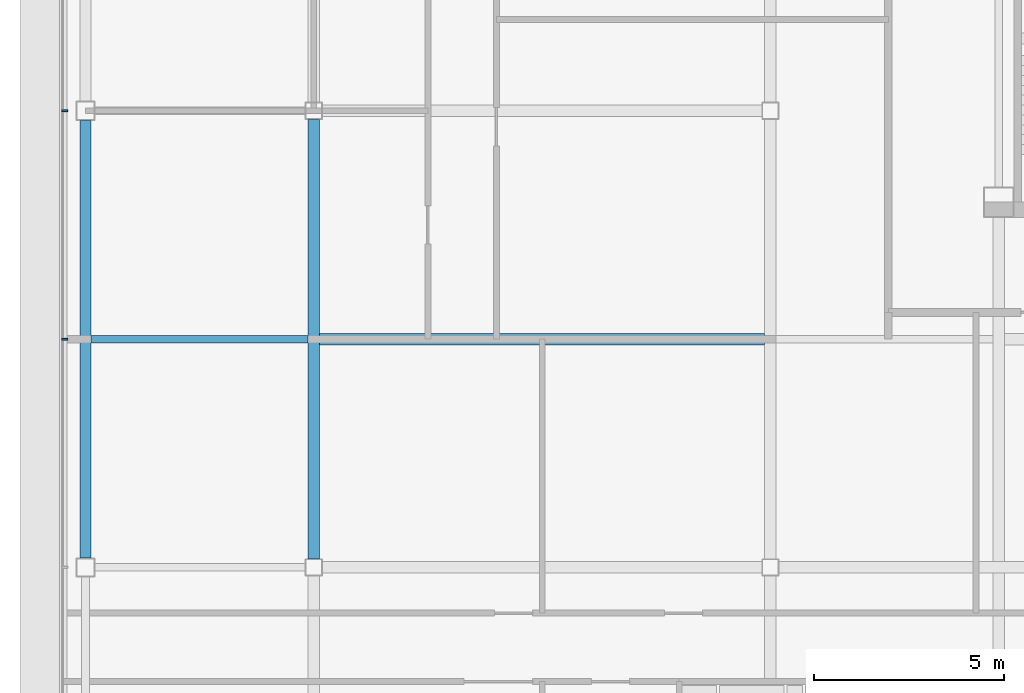
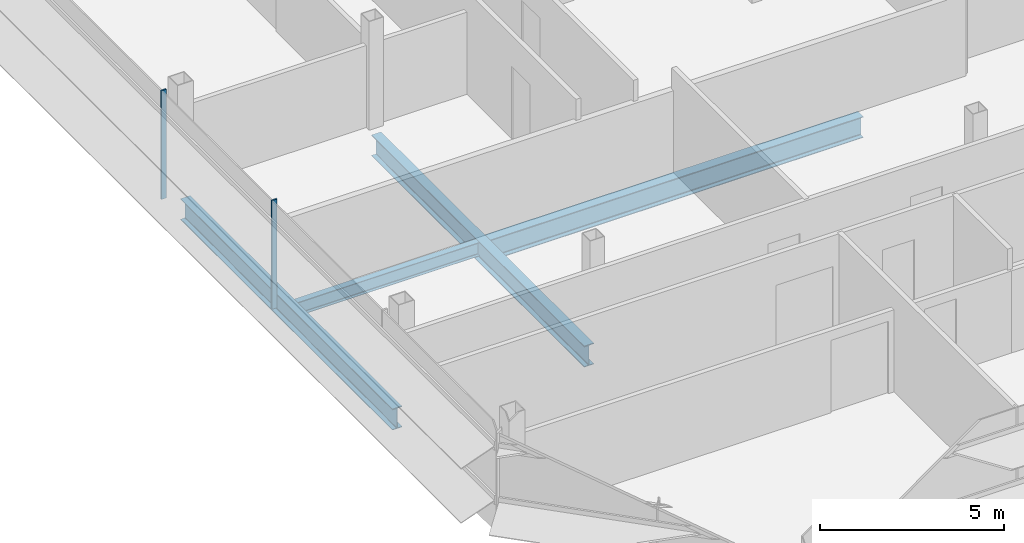
# One storey, part 6 of 27: 4 beams, 2 members, 1 element without a shape of its own.
"""IFC4 building model written with IfcOpenShell, lengths in metres."""

from ifc_helpers import new_model, si_unit, direction, frame, origin, origin_2d, place, context, subcontext, project, spatial, rectangle, i_section, extrude, material, material_profile, profile_set, type_object, element, aggregate, save


model = new_model("IFC4")

# Units and contexts
model_context = context("Model", 3, precision=1e-05, world=origin(), true_north=direction((0.0, 1.0)))
body_context = subcontext(model_context, "Body", "Model", "MODEL_VIEW")
ifc_project = project(units=[si_unit("LENGTHUNIT", "METRE"), si_unit("AREAUNIT", "SQUARE_METRE"), si_unit("VOLUMEUNIT", "CUBIC_METRE"), si_unit("PLANEANGLEUNIT", "RADIAN"), si_unit("MASSUNIT", "GRAM", prefix="KILO")], contexts=[model_context])

# Site, building, storey
site_placement = place(None, origin())
site = spatial("IfcSite", under=ifc_project, at=site_placement, CompositionType="ELEMENT")
building_placement = place(site_placement, origin())
building = spatial("IfcBuilding", under=site, at=building_placement, Name="Sorahane Residences", CompositionType="ELEMENT")
storey_placement = place(building_placement, frame((0.0, 0.0, 312.39990234375)))
storey = spatial("IfcBuildingStorey", under=building, at=storey_placement, Name="L74", CompositionType="ELEMENT", Elevation=312.39990234375)

# Curtain wall, members
ifc_material_1 = material(Name="Dark low-e glass and black anodised aluminium", Category="aluminium")
curtain_wall_type = type_object("IfcCurtainWallType", Name="Curtain wall CW-1 Typical unitised wall", PredefinedType="NOTDEFINED", material=ifc_material_1)
curtain_wall_placement = place(storey_placement, origin())
curtain_wall = element("IfcCurtainWall", 1, at=curtain_wall_placement, inside=storey, type_object=curtain_wall_type, Name="CW-1 curtain wall L74 W1", PredefinedType="NOTDEFINED")
ifc_material_2 = material(Name="Black anodised aluminium", Category="aluminium")
ifc_material_profile_1 = material_profile(ifc_material_2, rectangle(XDim=0.159912109375, YDim=0.050048828125, at=origin_2d()), Name="Curtain wall mullion CW-1 black anodised aluminium 50x160")
ifc_profile_set_1 = profile_set([ifc_material_profile_1], Name="Black anodised aluminium")
member_type = type_object("IfcMemberType", Name="Curtain wall mullion CW-1 black anodised aluminium 50x160", PredefinedType="MULLION", material=ifc_profile_set_1)
member_1_placement = place(storey_placement, frame((-18.5400390625, 24.0, -0.179931640625), z_axis=(0.0, 0.0, 1.0), x_axis=(-1.0, 0.0, 0.0)))
member_1 = element("IfcMember", 2, at=member_1_placement, type_object=member_type, Name="CW-1 mullion L74 W1.4", PredefinedType="MULLION", context=body_context, shape_type="SweptSolid", body=[
    extrude(rectangle(XDim=0.159912109375, YDim=0.050048828125, at=origin_2d()), origin(), (0.0, 0.0, 1.0), 3.60009765625),
])
member_2_placement = place(storey_placement, frame((-18.5400390625, 18.0, -0.179931640625), z_axis=(0.0, 0.0, 1.0), x_axis=(-1.0, 0.0, 0.0)))
member_2 = element("IfcMember", 3, at=member_2_placement, type_object=member_type, Name="CW-1 mullion L74 W1.5", PredefinedType="MULLION", context=body_context, shape_type="SweptSolid", body=[
    extrude(rectangle(XDim=0.159912109375, YDim=0.050048828125, at=origin_2d()), origin(), (0.0, 0.0, 1.0), 3.60009765625),
])
aggregate(curtain_wall, [member_1, member_2])

# Beams
ifc_material_3 = material(Name="Steel Q355B", Category="steel")
ifc_material_profile_2 = material_profile(ifc_material_3, i_section(OverallWidth=0.199951171875, OverallDepth=0.449951171875, WebThickness=0.009033203125, FlangeThickness=0.013916015625, FilletRadius=0.02001953125, at=origin_2d()), Name="HN 450x200x9x14")
ifc_profile_set_2 = profile_set([ifc_material_profile_2], Name="Steel Q355B")
beam_type_1 = type_object("IfcBeamType", Name="Steel floor beam HN 450x200x9x14 Q355B", PredefinedType="BEAM", material=ifc_profile_set_2)
beam_1_placement = place(storey_placement, frame((-17.85009765625, 18.0, -0.40478515625), z_axis=(1.0, 0.0, 0.0), x_axis=(0.0, 1.0, 0.0)))
element("IfcBeam", 4, at=beam_1_placement, inside=storey, type_object=beam_type_1, Name="Beam L74 076", PredefinedType="BEAM", context=body_context, shape_type="SweptSolid", body=[
    extrude(i_section(OverallWidth=0.199951171875, OverallDepth=0.449951171875, WebThickness=0.009033203125, FlangeThickness=0.013916015625, FilletRadius=0.02001953125, at=origin_2d()), origin(), (0.0, 0.0, 1.0), 5.7001953125),
])
ifc_material_4 = material(Name="Steel Q355B", Category="steel")
ifc_material_profile_3 = material_profile(ifc_material_4, i_section(OverallWidth=0.300048828125, OverallDepth=0.699951171875, WebThickness=0.012939453125, FlangeThickness=0.02392578125, FilletRadius=0.028076171875, at=origin_2d()), Name="HN 700x300x13x24")
ifc_profile_set_3 = profile_set([ifc_material_profile_3], Name="Steel Q355B")
beam_type_2 = type_object("IfcBeamType", Name="Steel floor beam HN 700x300x13x24 Q355B", PredefinedType="BEAM", material=ifc_profile_set_3)
beam_2_placement = place(storey_placement, frame((-18.0, 12.25, -0.52978515625), z_axis=(0.0, 1.0, 0.0), x_axis=(-1.0, 0.0, 0.0)))
element("IfcBeam", 5, at=beam_2_placement, inside=storey, type_object=beam_type_2, Name="Beam L74 021", PredefinedType="BEAM", context=body_context, shape_type="SweptSolid", body=[
    extrude(i_section(OverallWidth=0.300048828125, OverallDepth=0.699951171875, WebThickness=0.012939453125, FlangeThickness=0.02392578125, FilletRadius=0.028076171875, at=origin_2d()), origin(), (0.0, 0.0, 1.0), 11.5),
])
beam_3_placement = place(storey_placement, frame((-12.0, 12.22509765625, -0.52978515625), z_axis=(0.0, 1.0, 0.0), x_axis=(-1.0, 0.0, 0.0)))
element("IfcBeam", 6, at=beam_3_placement, inside=storey, type_object=beam_type_2, Name="Beam L74 025", PredefinedType="BEAM", context=body_context, shape_type="SweptSolid", body=[
    extrude(i_section(OverallWidth=0.300048828125, OverallDepth=0.699951171875, WebThickness=0.012939453125, FlangeThickness=0.02392578125, FilletRadius=0.028076171875, at=origin_2d()), origin(), (0.0, 0.0, 1.0), 11.5498046875),
])
beam_4_placement = place(storey_placement, frame((-11.85009765625, 18.0, -0.52978515625), z_axis=(1.0, 0.0, 0.0), x_axis=(0.0, 1.0, 0.0)))
element("IfcBeam", 7, at=beam_4_placement, inside=storey, type_object=beam_type_2, Name="Beam L74 077", PredefinedType="BEAM", context=body_context, shape_type="SweptSolid", body=[
    extrude(i_section(OverallWidth=0.300048828125, OverallDepth=0.699951171875, WebThickness=0.012939453125, FlangeThickness=0.02392578125, FilletRadius=0.028076171875, at=origin_2d()), origin(), (0.0, 0.0, 1.0), 11.7001953125),
])

save(model, "model.ifc")
